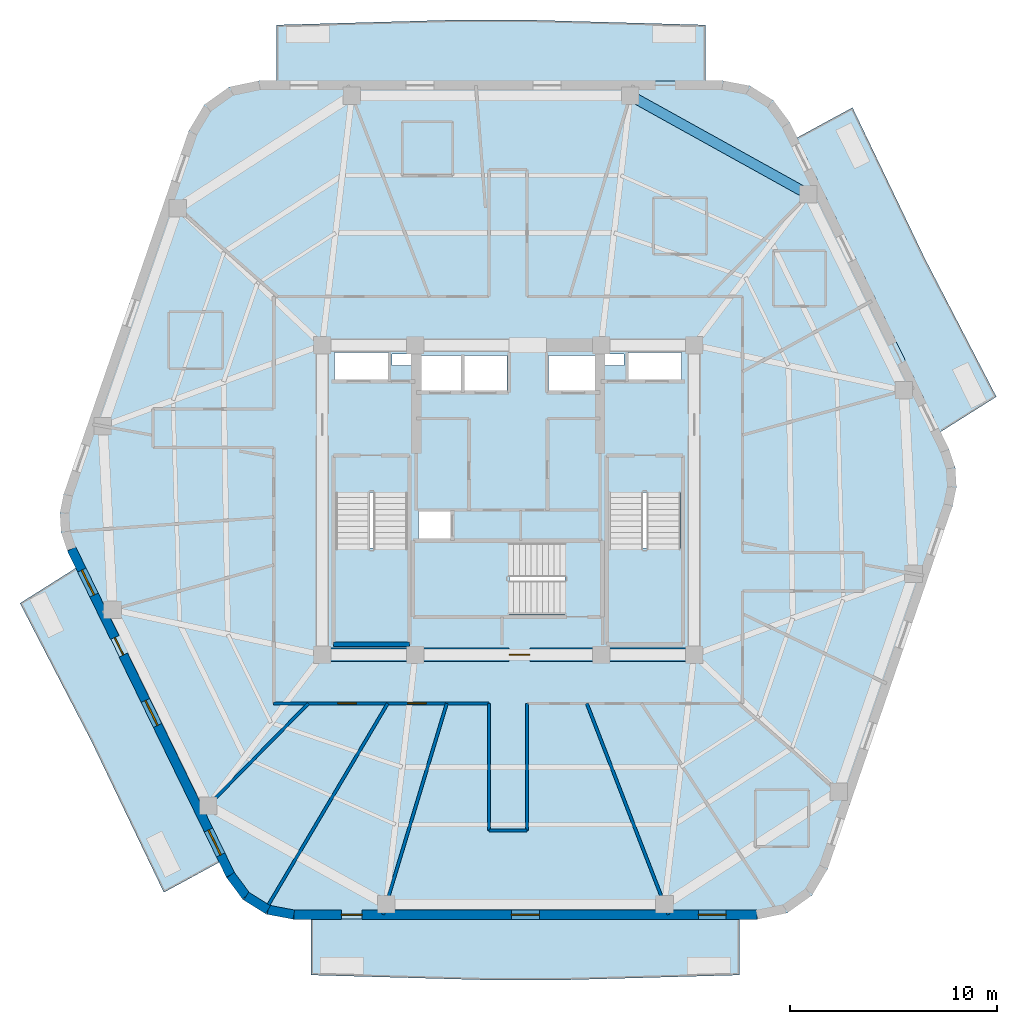
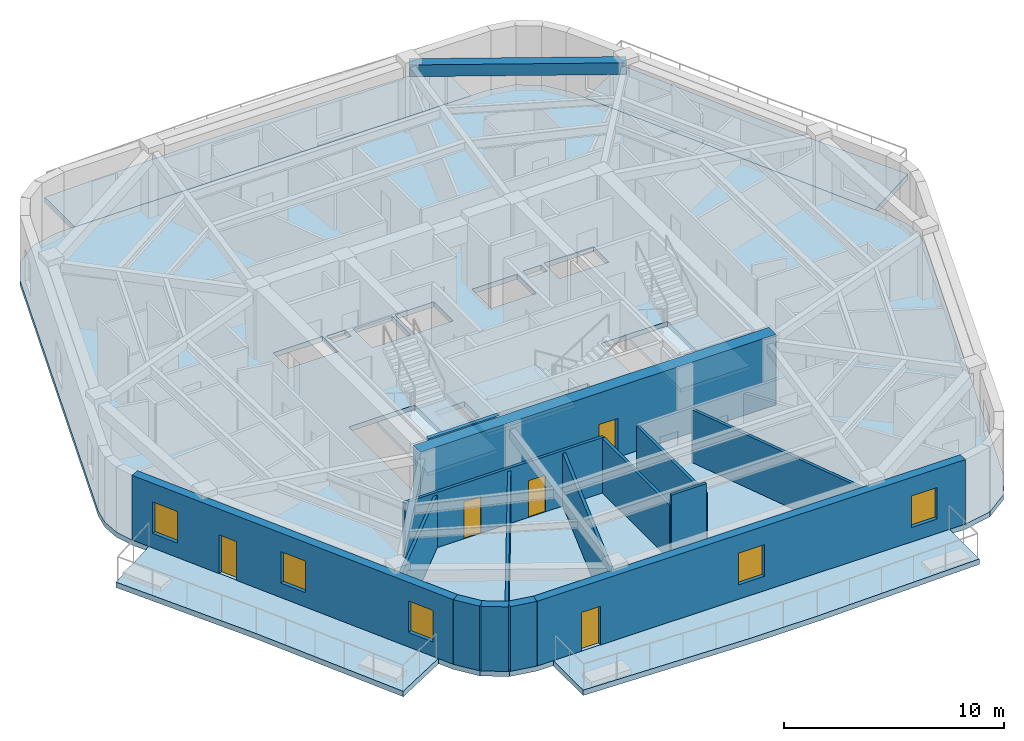
# One storey, part 2 of 9: 15 walls, 8 slabs, 5 doors, 5 windows, 1 beam, 10 openings, 3 elements without a shape of their own.
"""IFC4 building model written with IfcOpenShell, lengths in metres."""

from ifc_helpers import new_model, si_unit, direction, frame, frame_2d, origin, origin_2d, place, context, subcontext, project, spatial, polyline, rectangle, outline, extrude, material, layer, layer_set, material_profile, profile_set, type_object, element, fill, aggregate, save


model = new_model("IFC4")

# Units and contexts
model_context = context("Model", 3, precision=1e-05, world=origin(), true_north=direction((0.0, 1.0)))
body_context = subcontext(model_context, "Body", "Model", "MODEL_VIEW")
ifc_project = project(units=[si_unit("LENGTHUNIT", "METRE"), si_unit("AREAUNIT", "SQUARE_METRE"), si_unit("VOLUMEUNIT", "CUBIC_METRE"), si_unit("PLANEANGLEUNIT", "RADIAN"), si_unit("MASSUNIT", "GRAM", prefix="KILO")], contexts=[model_context])

# Site, building, storey
site_placement = place(None, origin())
site = spatial("IfcSite", under=ifc_project, at=site_placement, CompositionType="ELEMENT")
building_placement = place(site_placement, origin())
building = spatial("IfcBuilding", under=site, at=building_placement, Name="Kilnhurst Terrace Hotel", CompositionType="ELEMENT")
storey_placement = place(building_placement, frame((0.0, 0.0, 284.699951171875)))
storey = spatial("IfcBuildingStorey", under=building, at=storey_placement, Name="L71", CompositionType="ELEMENT", Elevation=284.699951171875)

# Beam
ifc_material_1 = material(Name="Concrete C50/60", Category="concrete")
ifc_material_profile = material_profile(ifc_material_1, rectangle(XDim=0.5, YDim=0.64990234375, at=origin_2d()), Name="RC500X650")
ifc_profile_set = profile_set([ifc_material_profile], Name="Concrete C50/60")
beam_type = type_object("IfcBeamType", Name="BM-SPN-500X650", PredefinedType="SPANDREL", material=ifc_profile_set)
beam_placement = place(storey_placement, frame((14.531005859375, 14.798095703125, 3.255126953125), z_axis=(-0.874527255888, 0.484976369227, 0.0), x_axis=(-0.484976369227, -0.874527255888, 0.0)))
element("IfcBeam", 1, at=beam_placement, inside=storey, type_object=beam_type, Name="L71 Perimeter Spandrel Beam 6", PredefinedType="SPANDREL", context=body_context, shape_type="SweptSolid", body=[
    extrude(rectangle(XDim=0.5, YDim=0.64990234375, at=origin_2d()), origin(), (0.0, 0.0, 1.0), 9.8603515625),
])

# Slabs
ifc_layer_1 = layer(ifc_material_1, 0.300048828125, Name="Concrete C50/60")
ifc_layer_set_1 = layer_set([ifc_layer_1], Name="Concrete C50/60")
slab_type_1 = type_object("IfcSlabType", Name="SLB-BAL-300", PredefinedType="FLOOR", material=ifc_layer_set_1)
slab_1_placement = place(storey_placement, frame((0.0, 0.0, -0.300048828125)))
element("IfcSlab", 2, at=slab_1_placement, inside=storey, type_object=slab_type_1, Name="L71 Cantilevered Planted Terrace Slab BAL-L1A", PredefinedType="FLOOR", context=body_context, shape_type="SweptSolid", body=[
    extrude(outline(polyline([(20.17919921875, 11.6767578125), (23.635498046875, 5.0), (20.920166015625, 3.28662109375), (13.9755859375, 17.534912109375), (16.669189453125, 19.0), (20.17919921875, 11.6767578125)])), origin(), (0.0, 0.0, 1.0), 0.300048828125),
])
slab_2_placement = place(storey_placement, frame((0.0, 0.0, -0.300048828125)))
element("IfcSlab", 3, at=slab_2_placement, inside=storey, type_object=slab_type_1, Name="L71 Cantilevered Planted Terrace Slab BAL-L1B", PredefinedType="FLOOR", context=body_context, shape_type="SweptSolid", body=[
    extrude(outline(polyline([(0.958984375, 23.239990234375), (9.5498046875, 23.0), (9.5498046875, 20.280029296875), (-11.211669921875, 20.280029296875), (-11.211669921875, 23.0), (-2.62060546875, 23.239990234375), (0.958984375, 23.239990234375)])), origin(), (0.0, 0.0, 1.0), 0.300048828125),
])
slab_3_placement = place(storey_placement, frame((0.0, 0.0, -0.300048828125)))
element("IfcSlab", 4, at=slab_3_placement, inside=storey, type_object=slab_type_1, Name="L71 Cantilevered Planted Terrace Slab BAL-L2A", PredefinedType="FLOOR", context=body_context, shape_type="SweptSolid", body=[
    extrude(outline(polyline([(-23.635498046875, -5.0), (-20.920166015625, -3.28662109375), (-13.9755859375, -17.534912109375), (-16.669189453125, -19.0), (-20.17919921875, -11.6767578125), (-23.635498046875, -5.0)])), origin(), (0.0, 0.0, 1.0), 0.300048828125),
])
slab_4_placement = place(storey_placement, frame((0.0, 0.0, -0.300048828125)))
element("IfcSlab", 5, at=slab_4_placement, inside=storey, type_object=slab_type_1, Name="L71 Cantilevered Planted Terrace Slab BAL-L2B", PredefinedType="FLOOR", context=body_context, shape_type="SweptSolid", body=[
    extrude(outline(polyline([(-0.958984375, -23.239990234375), (-9.5498046875, -23.0), (-9.5498046875, -20.280029296875), (11.211669921875, -20.280029296875), (11.211669921875, -23.0), (2.62060546875, -23.239990234375), (-0.958984375, -23.239990234375)])), origin(), (0.0, 0.0, 1.0), 0.300048828125),
])
ifc_layer_2 = layer(ifc_material_1, 0.280029296875, Name="Concrete C50/60")
ifc_layer_set_2 = layer_set([ifc_layer_2], Name="Concrete C50/60")
slab_type_2 = type_object("IfcSlabType", Name="SLB-FLR-280", PredefinedType="FLOOR", material=ifc_layer_set_2)
slab_5_placement = place(storey_placement, frame((0.0, 0.0, -0.280029296875)))
element("IfcSlab", 6, at=slab_5_placement, inside=storey, type_object=slab_type_2, Name="L71 Structural Floor Slab", PredefinedType="FLOOR", context=body_context, shape_type="SweptSolid", body=[
    extrude(outline(polyline([(-13.635986328125, -18.27734375), (-12.840087890625, -19.3466796875), (-11.709716796875, -20.05322265625), (-10.39990234375, -20.300048828125), (12.061767578125, -20.300048828125), (13.5068359375, -19.9970703125), (14.708984375, -19.139404296875), (15.4658203125, -17.871337890625), (21.51513671875, -0.29248046875), (21.7021484375, 0.627685546875), (21.64501953125, 1.565185546875), (21.34716796875, 2.4560546875), (13.635986328125, 18.27734375), (12.840087890625, 19.3466796875), (11.709716796875, 20.05322265625), (10.39990234375, 20.300048828125), (-12.061767578125, 20.300048828125), (-13.5068359375, 19.9970703125), (-14.708984375, 19.139404296875), (-15.4658203125, 17.871337890625), (-21.51513671875, 0.29248046875), (-21.7021484375, -0.627685546875), (-21.64501953125, -1.565185546875), (-21.34716796875, -2.4560546875), (-13.635986328125, -18.27734375)]), holes=[polyline([(-8.35009765625, 0.35498046875), (-4.8798828125, 0.35498046875), (-4.8798828125, -6.89990234375), (-8.35009765625, -6.89990234375), (-8.35009765625, 0.35498046875)]), polyline([(-2.800048828125, -1.89990234375), (-4.35009765625, -1.89990234375), (-4.35009765625, -0.550048828125), (-2.800048828125, -0.550048828125), (-2.800048828125, -1.89990234375)]), polyline([(-2.25, 5.25), (-4.300048828125, 5.25), (-4.300048828125, 7.0), (-2.25, 7.0), (-2.25, 5.25)]), polyline([(-2.1201171875, 5.25), (-2.1201171875, 7.0), (-0.050048828125, 7.0), (-0.050048828125, 5.25), (-2.1201171875, 5.25)]), polyline([(-8.39990234375, 5.75), (-8.39990234375, 7.14990234375), (-5.800048828125, 7.14990234375), (-5.800048828125, 5.75), (-8.39990234375, 5.75)]), polyline([(-4.659912109375, 6.52001953125), (-5.6201171875, 6.52001953125), (-5.6201171875, 7.080078125), (-4.659912109375, 7.080078125), (-4.659912109375, 6.52001953125)]), polyline([(2.7548828125, -5.550048828125), (-4.5, -5.550048828125), (-4.5, -2.080078125), (2.7548828125, -2.080078125), (2.7548828125, -5.550048828125)]), polyline([(8.35009765625, 0.35498046875), (8.35009765625, -6.89990234375), (4.8798828125, -6.89990234375), (4.8798828125, 0.35498046875), (8.35009765625, 0.35498046875)]), polyline([(4.300048828125, 5.25), (1.949951171875, 5.25), (1.949951171875, 7.0), (4.300048828125, 7.0), (4.300048828125, 5.25)]), polyline([(5.800048828125, 5.75), (5.800048828125, 7.14990234375), (8.39990234375, 7.14990234375), (8.39990234375, 5.75), (5.800048828125, 5.75)]), polyline([(4.659912109375, 6.52001953125), (4.659912109375, 7.080078125), (5.6201171875, 7.080078125), (5.6201171875, 6.52001953125), (4.659912109375, 6.52001953125)])]), origin(), (0.0, 0.0, 1.0), 0.280029296875),
])

# Stair, slab
stair_type = type_object("IfcStairType", Name="STR-CORE-1660", PredefinedType="HALF_TURN_STAIR", material=ifc_material_1)
stair_1_placement = place(storey_placement, origin())
stair_1 = element("IfcStair", 7, at=stair_1_placement, inside=storey, type_object=stair_type, Name="L71 ST-1", PredefinedType="HALF_TURN_STAIR")
ifc_layer_3 = layer(ifc_material_1, 0.199951171875, Name="Concrete C50/60")
ifc_layer_set_3 = layer_set([ifc_layer_3], Name="Concrete C50/60")
slab_type_3 = type_object("IfcSlabType", Name="SLB-ST-LND-200", PredefinedType="LANDING", material=ifc_layer_set_3)
slab_6_placement = place(storey_placement, frame((0.0, 0.0, 1.75)))
slab_6 = element("IfcSlab", 8, at=slab_6_placement, type_object=slab_type_3, Name="ST-1 landing 1", PredefinedType="LANDING", context=body_context, shape_type="SweptSolid", body=[
    extrude(outline(polyline([(-8.429931640625, -2.330078125), (-4.800048828125, -2.330078125), (-4.800048828125, -6.97998046875), (-8.429931640625, -6.97998046875), (-8.429931640625, -2.330078125)])), origin(), (0.0, 0.0, 1.0), 0.199951171875),
])
aggregate(stair_1, [slab_6])

stair_2_placement = place(storey_placement, origin())
stair_2 = element("IfcStair", 9, at=stair_2_placement, inside=storey, type_object=stair_type, Name="L71 ST-2", PredefinedType="HALF_TURN_STAIR")
slab_7_placement = place(storey_placement, frame((0.0, 0.0, 1.75)))
slab_7 = element("IfcSlab", 10, at=slab_7_placement, type_object=slab_type_3, Name="ST-2 landing 1", PredefinedType="LANDING", context=body_context, shape_type="SweptSolid", body=[
    extrude(outline(polyline([(4.800048828125, -2.330078125), (8.429931640625, -2.330078125), (8.429931640625, -6.97998046875), (4.800048828125, -6.97998046875), (4.800048828125, -2.330078125)])), origin(), (0.0, 0.0, 1.0), 0.199951171875),
])
aggregate(stair_2, [slab_7])

stair_3_placement = place(storey_placement, origin())
stair_3 = element("IfcStair", 11, at=stair_3_placement, inside=storey, type_object=stair_type, Name="L71 ST-3", PredefinedType="HALF_TURN_STAIR")
slab_8_placement = place(storey_placement, frame((0.0, 0.0, 1.75)))
slab_8 = element("IfcSlab", 12, at=slab_8_placement, type_object=slab_type_3, Name="ST-3 landing 1", PredefinedType="LANDING", context=body_context, shape_type="SweptSolid", body=[
    extrude(outline(polyline([(0.070068359375, -2.0), (0.070068359375, -5.6298828125), (-4.580078125, -5.6298828125), (-4.580078125, -2.0), (0.070068359375, -2.0)])), origin(), (0.0, 0.0, 1.0), 0.199951171875),
])
aggregate(stair_3, [slab_8])

# Walls
ifc_material_2 = material(Name="Precast concrete C40/50", Category="concrete")
ifc_layer_4 = layer(ifc_material_2, 0.449951171875, Name="Precast concrete C40/50")
ifc_layer_set_4 = layer_set([ifc_layer_4], Name="Precast concrete C40/50")
wall_type_1 = type_object("IfcWallType", Name="WL-BRK-450", PredefinedType="SOLIDWALL", material=ifc_layer_set_4)
wall_1_placement = place(storey_placement, frame((-13.44287109375, -18.159912109375, 0.0), z_axis=(0.0, 0.0, 1.0), x_axis=(0.597042425808, -0.802209661987, 0.0)))
element("IfcWall", 13, at=wall_1_placement, inside=storey, type_object=wall_type_1, Name="L71 Rounded Corner Brick Wall C1.1", PredefinedType="SOLIDWALL", context=body_context, shape_type="SweptSolid", body=[
    extrude(rectangle(XDim=1.269775390625, YDim=0.449951171875, at=frame_2d((0.634765625, 0.0))), origin(), (0.0, 0.0, 1.0), 3.580078125),
])
wall_2_placement = place(storey_placement, frame((-12.684814453125, -19.178466796875, 0.0), z_axis=(0.0, 0.0, 1.0), x_axis=(0.848031272749, -0.529946186362, 0.0)))
element("IfcWall", 14, at=wall_2_placement, inside=storey, type_object=wall_type_1, Name="L71 Rounded Corner Brick Wall C1.2", PredefinedType="SOLIDWALL", context=body_context, shape_type="SweptSolid", body=[
    extrude(rectangle(XDim=1.248046875, YDim=0.449951171875, at=frame_2d((0.6240234375, 0.0))), origin(), (0.0, 0.0, 1.0), 3.580078125),
])
wall_3_placement = place(storey_placement, frame((-11.62646484375, -19.83984375, 0.0), z_axis=(0.0, 0.0, 1.0), x_axis=(0.982701956681, -0.185194126083, 0.0)))
element("IfcWall", 15, at=wall_3_placement, inside=storey, type_object=wall_type_1, Name="L71 Rounded Corner Brick Wall C1.3", PredefinedType="SOLIDWALL", context=body_context, shape_type="SweptSolid", body=[
    extrude(rectangle(XDim=1.26953125, YDim=0.449951171875, at=frame_2d((0.634765625, 0.0))), origin(), (0.0, 0.0, 1.0), 3.580078125),
])

# Wall, openings, door, windows
wall_4_placement = place(storey_placement, frame((-10.37890625, -20.074951171875, 0.0), z_axis=(0.0, 0.0, 1.0), x_axis=(1.0, 0.0, 0.0)))
wall_4 = element("IfcWall", 16, at=wall_4_placement, inside=storey, type_object=wall_type_1, Name="L71 Exterior Brick Facade Wall F1", PredefinedType="SOLIDWALL", context=body_context, shape_type="SweptSolid", body=[
    extrude(rectangle(XDim=22.417236328125, YDim=0.449951171875, at=frame_2d((11.20849609375, 0.0))), origin(), (0.0, 0.0, 1.0), 3.580078125),
])
opening_1_placement = place(wall_4_placement, frame((2.302001953125, 0.0, 0.0)))
opening_1 = element("IfcOpeningElement", 17, at=opening_1_placement, cuts=wall_4, Name="Opening BD-1000", PredefinedType="OPENING", context=body_context, shape_type="SweptSolid", body=[
    extrude(rectangle(XDim=1.0, YDim=2.14990234375, at=frame_2d((0.5, 1.074951171875))), frame((0.0, 0.23486328125, 0.0), z_axis=(0.0, -1.0, 0.0), x_axis=(1.0, 0.0, 0.0)), (0.0, 0.0, 1.0), 0.469970703125),
])
opening_2_placement = place(wall_4_placement, frame((10.533935546875, 0.0, 0.800048828125)))
opening_2 = element("IfcOpeningElement", 18, at=opening_2_placement, cuts=wall_4, Name="Opening W-06", PredefinedType="OPENING", context=body_context, shape_type="SweptSolid", body=[
    extrude(rectangle(XDim=1.35009765625, YDim=1.75, at=frame_2d((0.675048828125, 0.875))), frame((0.0, 0.23486328125, 0.0), z_axis=(0.0, -1.0, 0.0), x_axis=(1.0, 0.0, 0.0)), (0.0, 0.0, 1.0), 0.469970703125),
])
opening_3_placement = place(wall_4_placement, frame((19.5869140625, 0.0, 0.800048828125)))
opening_3 = element("IfcOpeningElement", 19, at=opening_3_placement, cuts=wall_4, Name="Opening W-06", PredefinedType="OPENING", context=body_context, shape_type="SweptSolid", body=[
    extrude(rectangle(XDim=1.35009765625, YDim=1.75, at=frame_2d((0.675048828125, 0.875))), frame((0.0, 0.23486328125, 0.0), z_axis=(0.0, -1.0, 0.0), x_axis=(1.0, 0.0, 0.0)), (0.0, 0.0, 1.0), 0.469970703125),
])
ifc_material_3 = material(Name="Thermally Broken Bronze Aluminium Alloy 6063-T6 and Laminated Glass", Category="aluminium")
door_type_1 = type_object("IfcDoorType", Name="DR-EXT-BAL-1000", OperationType="NOTDEFINED", PredefinedType="DOOR", material=ifc_material_3)
door_1_placement = place(opening_1_placement, origin())
door_1 = element("IfcDoor", 20, at=door_1_placement, inside=storey, type_object=door_type_1, Name="L71 Planted Balcony Door BAL-L2B", OperationType="SINGLE_SWING_LEFT", OverallHeight=2.14990234375, OverallWidth=1.0, PredefinedType="DOOR", context=body_context, shape_type="SweptSolid", body=[
    extrude(rectangle(XDim=1.0, YDim=2.14990234375, at=frame_2d((0.5, 1.074951171875))), frame((0.0, 0.02490234375, 0.0), z_axis=(0.0, -1.0, 0.0), x_axis=(1.0, 0.0, 0.0)), (0.0, 0.0, 1.0), 0.050048828125),
])
fill(opening_1, door_1)
ifc_material_4 = material(Name="Thermally Broken Bronze Aluminium Alloy 6063-T6 and Low-E Glass", Category="aluminium")
window_type = type_object("IfcWindowType", Name="WIN-1350X1750", PartitioningType="SINGLE_PANEL", PredefinedType="WINDOW", material=ifc_material_4)
window_1_placement = place(opening_2_placement, origin())
window_1 = element("IfcWindow", 21, at=window_1_placement, inside=storey, type_object=window_type, Name="L71 Deep-Set Masonry Window F1.1", OverallHeight=1.75, OverallWidth=1.35009765625, PartitioningType="SINGLE_PANEL", PredefinedType="WINDOW", context=body_context, shape_type="SweptSolid", body=[
    extrude(rectangle(XDim=1.35009765625, YDim=1.75, at=frame_2d((0.675048828125, 0.875))), frame((0.0, 0.030029296875, 0.0), z_axis=(0.0, -1.0, 0.0), x_axis=(1.0, 0.0, 0.0)), (0.0, 0.0, 1.0), 0.06005859375),
])
fill(opening_2, window_1)
window_2_placement = place(opening_3_placement, origin())
window_2 = element("IfcWindow", 22, at=window_2_placement, inside=storey, type_object=window_type, Name="L71 Deep-Set Masonry Window F1.2", OverallHeight=1.75, OverallWidth=1.35009765625, PartitioningType="SINGLE_PANEL", PredefinedType="WINDOW", context=body_context, shape_type="SweptSolid", body=[
    extrude(rectangle(XDim=1.35009765625, YDim=1.75, at=frame_2d((0.675048828125, 0.875))), frame((0.0, 0.030029296875, 0.0), z_axis=(0.0, -1.0, 0.0), x_axis=(1.0, 0.0, 0.0)), (0.0, 0.0, 1.0), 0.06005859375),
])
fill(opening_3, window_2)

wall_5_placement = place(storey_placement, frame((-21.138427734375, -2.370849609375, 0.0), z_axis=(0.0, 0.0, 1.0), x_axis=(0.438128124058, -0.89891253574, 0.0)))
wall_5 = element("IfcWall", 23, at=wall_5_placement, inside=storey, type_object=wall_type_1, Name="L71 Exterior Brick Facade Wall F6", PredefinedType="SOLIDWALL", context=body_context, shape_type="SweptSolid", body=[
    extrude(rectangle(XDim=17.564697265625, YDim=0.449951171875, at=frame_2d((8.7822265625, 0.0))), origin(), (0.0, 0.0, 1.0), 3.580078125),
])
opening_4_placement = place(wall_5_placement, frame((4.76904296875, 0.0, 0.0)))
opening_4 = element("IfcOpeningElement", 24, at=opening_4_placement, cuts=wall_5, Name="Opening BD-950", PredefinedType="OPENING", context=body_context, shape_type="SweptSolid", body=[
    extrude(rectangle(XDim=0.949951171875, YDim=2.14990234375, at=frame_2d((0.47509765625, 1.074951171875))), frame((0.0, 0.23486328125, 0.0), z_axis=(0.0, -1.0, 0.0), x_axis=(1.0, 0.0, 0.0)), (0.0, 0.0, 1.0), 0.469970703125),
])
opening_5_placement = place(wall_5_placement, frame((1.133056640625, 0.0, 0.800048828125)))
opening_5 = element("IfcOpeningElement", 25, at=opening_5_placement, cuts=wall_5, Name="Opening W-06", PredefinedType="OPENING", context=body_context, shape_type="SweptSolid", body=[
    extrude(rectangle(XDim=1.35009765625, YDim=1.75, at=frame_2d((0.675048828125, 0.875))), frame((0.0, 0.23486328125, 0.0), z_axis=(0.0, -1.0, 0.0), x_axis=(1.0, 0.0, 0.0)), (0.0, 0.0, 1.0), 0.469970703125),
])
opening_6_placement = place(wall_5_placement, frame((8.157958984375, 0.0, 0.800048828125)))
opening_6 = element("IfcOpeningElement", 26, at=opening_6_placement, cuts=wall_5, Name="Opening W-06", PredefinedType="OPENING", context=body_context, shape_type="SweptSolid", body=[
    extrude(rectangle(XDim=1.35009765625, YDim=1.75, at=frame_2d((0.675048828125, 0.875))), frame((0.0, 0.23486328125, 0.0), z_axis=(0.0, -1.0, 0.0), x_axis=(1.0, 0.0, 0.0)), (0.0, 0.0, 1.0), 0.469970703125),
])
opening_7_placement = place(wall_5_placement, frame((15.132080078125, 0.0, 0.800048828125)))
opening_7 = element("IfcOpeningElement", 27, at=opening_7_placement, cuts=wall_5, Name="Opening W-06", PredefinedType="OPENING", context=body_context, shape_type="SweptSolid", body=[
    extrude(rectangle(XDim=1.35009765625, YDim=1.75, at=frame_2d((0.675048828125, 0.875))), frame((0.0, 0.23486328125, 0.0), z_axis=(0.0, -1.0, 0.0), x_axis=(1.0, 0.0, 0.0)), (0.0, 0.0, 1.0), 0.469970703125),
])
door_type_2 = type_object("IfcDoorType", Name="DR-EXT-BAL-950", OperationType="NOTDEFINED", PredefinedType="DOOR", material=ifc_material_3)
door_2_placement = place(opening_4_placement, origin())
door_2 = element("IfcDoor", 28, at=door_2_placement, inside=storey, type_object=door_type_2, Name="L71 Planted Balcony Door BAL-L2A", OperationType="SINGLE_SWING_RIGHT", OverallHeight=2.14990234375, OverallWidth=0.949951171875, PredefinedType="DOOR", context=body_context, shape_type="SweptSolid", body=[
    extrude(rectangle(XDim=0.949951171875, YDim=2.14990234375, at=frame_2d((0.47509765625, 1.074951171875))), frame((0.0, 0.02490234375, 0.0), z_axis=(0.0, -1.0, 0.0), x_axis=(1.0, 0.0, 0.0)), (0.0, 0.0, 1.0), 0.050048828125),
])
fill(opening_4, door_2)
window_3_placement = place(opening_5_placement, origin())
window_3 = element("IfcWindow", 29, at=window_3_placement, inside=storey, type_object=window_type, Name="L71 Deep-Set Masonry Window F6.1", OverallHeight=1.75, OverallWidth=1.35009765625, PartitioningType="SINGLE_PANEL", PredefinedType="WINDOW", context=body_context, shape_type="SweptSolid", body=[
    extrude(rectangle(XDim=1.35009765625, YDim=1.75, at=frame_2d((0.675048828125, 0.875))), frame((0.0, 0.030029296875, 0.0), z_axis=(0.0, -1.0, 0.0), x_axis=(1.0, 0.0, 0.0)), (0.0, 0.0, 1.0), 0.06005859375),
])
fill(opening_5, window_3)
window_4_placement = place(opening_6_placement, origin())
window_4 = element("IfcWindow", 30, at=window_4_placement, inside=storey, type_object=window_type, Name="L71 Deep-Set Masonry Window F6.2", OverallHeight=1.75, OverallWidth=1.35009765625, PartitioningType="SINGLE_PANEL", PredefinedType="WINDOW", context=body_context, shape_type="SweptSolid", body=[
    extrude(rectangle(XDim=1.35009765625, YDim=1.75, at=frame_2d((0.675048828125, 0.875))), frame((0.0, 0.030029296875, 0.0), z_axis=(0.0, -1.0, 0.0), x_axis=(1.0, 0.0, 0.0)), (0.0, 0.0, 1.0), 0.06005859375),
])
fill(opening_6, window_4)
window_5_placement = place(opening_7_placement, origin())
window_5 = element("IfcWindow", 31, at=window_5_placement, inside=storey, type_object=window_type, Name="L71 Deep-Set Masonry Window F6.3", OverallHeight=1.75, OverallWidth=1.35009765625, PartitioningType="SINGLE_PANEL", PredefinedType="WINDOW", context=body_context, shape_type="SweptSolid", body=[
    extrude(rectangle(XDim=1.35009765625, YDim=1.75, at=frame_2d((0.675048828125, 0.875))), frame((0.0, 0.030029296875, 0.0), z_axis=(0.0, -1.0, 0.0), x_axis=(1.0, 0.0, 0.0)), (0.0, 0.0, 1.0), 0.06005859375),
])
fill(opening_7, window_5)

# Walls
ifc_material_5 = material(Name="Acoustic Double-Gypsum Corridor Partition Assembly")
ifc_layer_5 = layer(ifc_material_5, 0.14990234375, Name="Acoustic Double-Gypsum Corridor Partition Assembly")
ifc_layer_set_5 = layer_set([ifc_layer_5], Name="Acoustic Double-Gypsum Corridor Partition Assembly")
wall_type_2 = type_object("IfcWallType", Name="WL-COR-150", PredefinedType="PARTITIONING", material=ifc_layer_set_5)
wall_6_placement = place(storey_placement, frame((0.919921875, -9.85009765625, 0.0), z_axis=(0.0, 0.0, 1.0), x_axis=(0.0, -1.0, 0.0)))
element("IfcWall", 32, at=wall_6_placement, inside=storey, type_object=wall_type_2, Name="L71 Interior Wall WL-L71-COR-17", PredefinedType="PARTITIONING", context=body_context, shape_type="SweptSolid", body=[
    extrude(rectangle(XDim=6.14990234375, YDim=0.14990234375, at=frame_2d((3.074951171875, 0.0))), origin(), (0.0, 0.0, 1.0), 3.0205078125),
])
wall_7_placement = place(storey_placement, frame((0.919921875, -16.0, 0.0), z_axis=(0.0, 0.0, 1.0), x_axis=(-1.0, 0.0, 0.0)))
element("IfcWall", 33, at=wall_7_placement, inside=storey, type_object=wall_type_2, Name="L71 Interior Wall WL-L71-COR-18", PredefinedType="PARTITIONING", context=body_context, shape_type="SweptSolid", body=[
    extrude(rectangle(XDim=1.83984375, YDim=0.14990234375, at=frame_2d((0.919921875, 0.0))), origin(), (0.0, 0.0, 1.0), 3.580078125),
])
wall_8_placement = place(storey_placement, frame((-0.919921875, -16.0, 0.0), z_axis=(0.0, 0.0, 1.0), x_axis=(0.0, 1.0, 0.0)))
element("IfcWall", 34, at=wall_8_placement, inside=storey, type_object=wall_type_2, Name="L71 Interior Wall WL-L71-COR-19", PredefinedType="PARTITIONING", context=body_context, shape_type="SweptSolid", body=[
    extrude(rectangle(XDim=6.14990234375, YDim=0.14990234375, at=frame_2d((3.074951171875, 0.0))), origin(), (0.0, 0.0, 1.0), 3.0205078125),
])

# Wall, openings, doors
wall_9_placement = place(storey_placement, frame((-0.919921875, -9.85009765625, 0.0), z_axis=(0.0, 0.0, 1.0), x_axis=(-1.0, 0.0, 0.0)))
wall_9 = element("IfcWall", 35, at=wall_9_placement, inside=storey, type_object=wall_type_2, Name="L71 Interior Wall WL-L71-COR-20", PredefinedType="PARTITIONING", context=body_context, shape_type="SweptSolid", body=[
    extrude(rectangle(XDim=10.43017578125, YDim=0.14990234375, at=frame_2d((5.215087890625, 0.0))), origin(), (0.0, 0.0, 1.0), 3.070068359375),
])
opening_8_placement = place(wall_9_placement, frame((6.430908203125, 0.0, 0.0)))
opening_8 = element("IfcOpeningElement", 36, at=opening_8_placement, cuts=wall_9, Name="Opening D-60C", PredefinedType="OPENING", context=body_context, shape_type="SweptSolid", body=[
    extrude(rectangle(XDim=0.89990234375, YDim=2.030029296875, at=frame_2d((0.449951171875, 1.01513671875))), frame((0.0, 0.0849609375, 0.0), z_axis=(0.0, -1.0, 0.0), x_axis=(1.0, 0.0, 0.0)), (0.0, 0.0, 1.0), 0.169921875),
])
opening_9_placement = place(wall_9_placement, frame((3.052001953125, 0.0, 0.0)))
opening_9 = element("IfcOpeningElement", 37, at=opening_9_placement, cuts=wall_9, Name="Opening D-60C", PredefinedType="OPENING", context=body_context, shape_type="SweptSolid", body=[
    extrude(rectangle(XDim=0.89990234375, YDim=2.030029296875, at=frame_2d((0.449951171875, 1.01513671875))), frame((0.0, 0.0849609375, 0.0), z_axis=(0.0, -1.0, 0.0), x_axis=(1.0, 0.0, 0.0)), (0.0, 0.0, 1.0), 0.169921875),
])
ifc_material_6 = material(Name="Painted Solid-Core Service Fire Door")
door_type_3 = type_object("IfcDoorType", Name="DR-FD60-900", OperationType="NOTDEFINED", PredefinedType="DOOR", material=ifc_material_6)
door_3_placement = place(opening_8_placement, origin())
door_3 = element("IfcDoor", 38, at=door_3_placement, inside=storey, type_object=door_type_3, Name="L71 Wellness Consultation Room Door 11", OperationType="SINGLE_SWING_LEFT", OverallHeight=2.030029296875, OverallWidth=0.89990234375, PredefinedType="DOOR", context=body_context, shape_type="SweptSolid", body=[
    extrude(rectangle(XDim=0.89990234375, YDim=2.030029296875, at=frame_2d((0.449951171875, 1.01513671875))), frame((0.0, 0.02490234375, 0.0), z_axis=(0.0, -1.0, 0.0), x_axis=(1.0, 0.0, 0.0)), (0.0, 0.0, 1.0), 0.050048828125),
])
fill(opening_8, door_3)
door_4_placement = place(opening_9_placement, origin())
door_4 = element("IfcDoor", 39, at=door_4_placement, inside=storey, type_object=door_type_3, Name="L71 Private Tasting Dining Room Door 12", OperationType="SINGLE_SWING_RIGHT", OverallHeight=2.030029296875, OverallWidth=0.89990234375, PredefinedType="DOOR", context=body_context, shape_type="SweptSolid", body=[
    extrude(rectangle(XDim=0.89990234375, YDim=2.030029296875, at=frame_2d((0.449951171875, 1.01513671875))), frame((0.0, 0.02490234375, 0.0), z_axis=(0.0, -1.0, 0.0), x_axis=(1.0, 0.0, 0.0)), (0.0, 0.0, 1.0), 0.050048828125),
])
fill(opening_9, door_4)

# Wall, opening, door
ifc_material_7 = material(Name="Concrete C60/75", Category="concrete")
ifc_layer_6 = layer(ifc_material_7, 0.64990234375, Name="Concrete C60/75")
ifc_layer_set_6 = layer_set([ifc_layer_6], Name="Concrete C60/75")
wall_type_3 = type_object("IfcWallType", Name="WL-CORE-650", PredefinedType="SHEAR", material=ifc_layer_set_6)
wall_10_placement = place(storey_placement, frame((-9.324951171875, -7.5, 0.0), z_axis=(0.0, 0.0, 1.0), x_axis=(1.0, 0.0, 0.0)))
wall_10 = element("IfcWall", 40, at=wall_10_placement, inside=storey, type_object=wall_type_3, Name="L71 Core South Shear Wall", PredefinedType="SHEAR", context=body_context, shape_type="SweptSolid", body=[
    extrude(rectangle(XDim=18.64990234375, YDim=0.64990234375, at=frame_2d((9.324951171875, 0.0))), origin(), (0.0, 0.0, 1.0), 3.900146484375),
])
opening_10_placement = place(wall_10_placement, frame((9.375, 0.0, 0.0)))
opening_10 = element("IfcOpeningElement", 41, at=opening_10_placement, cuts=wall_10, Name="Opening D-90B", PredefinedType="OPENING", context=body_context, shape_type="SweptSolid", body=[
    extrude(rectangle(XDim=1.0, YDim=2.14990234375, at=frame_2d((0.5, 1.074951171875))), frame((0.0, 0.3349609375, 0.0), z_axis=(0.0, -1.0, 0.0), x_axis=(1.0, 0.0, 0.0)), (0.0, 0.0, 1.0), 0.669921875),
])
ifc_material_8 = material(Name="Painted Hollow Metal Steel ASTM A36 Fire Door", Category="steel")
door_type_4 = type_object("IfcDoorType", Name="DR-FD90-1000", OperationType="NOTDEFINED", PredefinedType="DOOR", material=ifc_material_8)
door_5_placement = place(opening_10_placement, origin())
door_5 = element("IfcDoor", 42, at=door_5_placement, inside=storey, type_object=door_type_4, Name="L71 Stair ST-3 Corridor Door", OperationType="SINGLE_SWING_RIGHT", OverallHeight=2.14990234375, OverallWidth=1.0, PredefinedType="DOOR", context=body_context, shape_type="SweptSolid", body=[
    extrude(rectangle(XDim=1.0, YDim=2.14990234375, at=frame_2d((0.5, 1.074951171875))), frame((0.0, 0.02490234375, 0.0), z_axis=(0.0, -1.0, 0.0), x_axis=(1.0, 0.0, 0.0)), (0.0, 0.0, 1.0), 0.050048828125),
])
fill(opening_10, door_5)

# Walls
ifc_material_9 = material(Name="STC-58 Acoustic Twin-Frame Guestroom Demising Partition")
ifc_layer_7 = layer(ifc_material_9, 0.14990234375, Name="STC-58 Acoustic Twin-Frame Guestroom Demising Partition")
ifc_layer_set_7 = layer_set([ifc_layer_7], Name="STC-58 Acoustic Twin-Frame Guestroom Demising Partition")
wall_type_4 = type_object("IfcWallType", Name="WL-DEM-150", PredefinedType="PARTITIONING", material=ifc_layer_set_7)
wall_11_placement = place(storey_placement, frame((-9.67236328125, -9.85009765625, 0.0), z_axis=(0.0, 0.0, 1.0), x_axis=(-0.700629771301, -0.713524998558, 0.0)))
element("IfcWall", 43, at=wall_11_placement, inside=storey, type_object=wall_type_4, Name="L71 Interior Wall WL-L71-DEM-COL08-11-1", PredefinedType="PARTITIONING", context=body_context, shape_type="SweptSolid", body=[
    extrude(rectangle(XDim=7.45947265625, YDim=0.14990234375, at=frame_2d((3.729736328125, 0.0))), origin(), (0.0, 0.0, 1.0), 2.920166015625),
])
wall_12_placement = place(storey_placement, frame((-5.833251953125, -9.85009765625, 0.0), z_axis=(0.0, 0.0, 1.0), x_axis=(-0.509561365941, -0.860434317272, 0.0)))
element("IfcWall", 44, at=wall_12_placement, inside=storey, type_object=wall_type_4, Name="L71 Interior Wall WL-L71-DEM-MID08-12-1", PredefinedType="PARTITIONING", context=body_context, shape_type="SweptSolid", body=[
    extrude(rectangle(XDim=11.384765625, YDim=0.14990234375, at=frame_2d((5.6923828125, 0.0))), origin(), (0.0, 0.0, 1.0), 2.920166015625),
])
wall_13_placement = place(storey_placement, frame((-2.97216796875, -9.85009765625, 0.0), z_axis=(0.0, 0.0, 1.0), x_axis=(-0.288872169679, -0.957367677324, 0.0)))
element("IfcWall", 45, at=wall_13_placement, inside=storey, type_object=wall_type_4, Name="L71 Interior Wall WL-L71-DEM-COL09-13-1", PredefinedType="PARTITIONING", context=body_context, shape_type="SweptSolid", body=[
    extrude(rectangle(XDim=10.68017578125, YDim=0.14990234375, at=frame_2d((5.340087890625, 0.0))), origin(), (0.0, 0.0, 1.0), 2.920166015625),
])
wall_14_placement = place(storey_placement, frame((3.8076171875, -9.85009765625, 0.0), z_axis=(0.0, 0.0, 1.0), x_axis=(0.360587327934, -0.932725457427, 0.0)))
element("IfcWall", 46, at=wall_14_placement, inside=storey, type_object=wall_type_4, Name="L71 Interior Wall WL-L71-DEM-COL10-14-1", PredefinedType="PARTITIONING", context=body_context, shape_type="SweptSolid", body=[
    extrude(rectangle(XDim=10.96240234375, YDim=0.14990234375, at=frame_2d((5.481201171875, 0.0))), origin(), (0.0, 0.0, 1.0), 2.920166015625),
])
ifc_layer_8 = layer(ifc_material_1, 0.199951171875, Name="Concrete C50/60")
ifc_layer_set_8 = layer_set([ifc_layer_8], Name="Concrete C50/60")
wall_type_5 = type_object("IfcWallType", Name="WL-STAIR-RC-200", PredefinedType="SHEAR", material=ifc_layer_set_8)
wall_15_placement = place(storey_placement, frame((-8.4580078125, -6.985107421875, 0.0), z_axis=(0.0, 0.0, 1.0), x_axis=(1.0, 0.0, 0.0)))
element("IfcWall", 47, at=wall_15_placement, inside=storey, type_object=wall_type_5, Name="L71 Structural Stair Shaft Wall WL-L71-ST1-S", PredefinedType="SHEAR", context=body_context, shape_type="SweptSolid", body=[
    extrude(rectangle(XDim=3.68603515625, YDim=0.199951171875, at=frame_2d((1.843017578125, 0.0))), origin(), (0.0, 0.0, 1.0), 3.900146484375),
])

save(model, "model.ifc")
